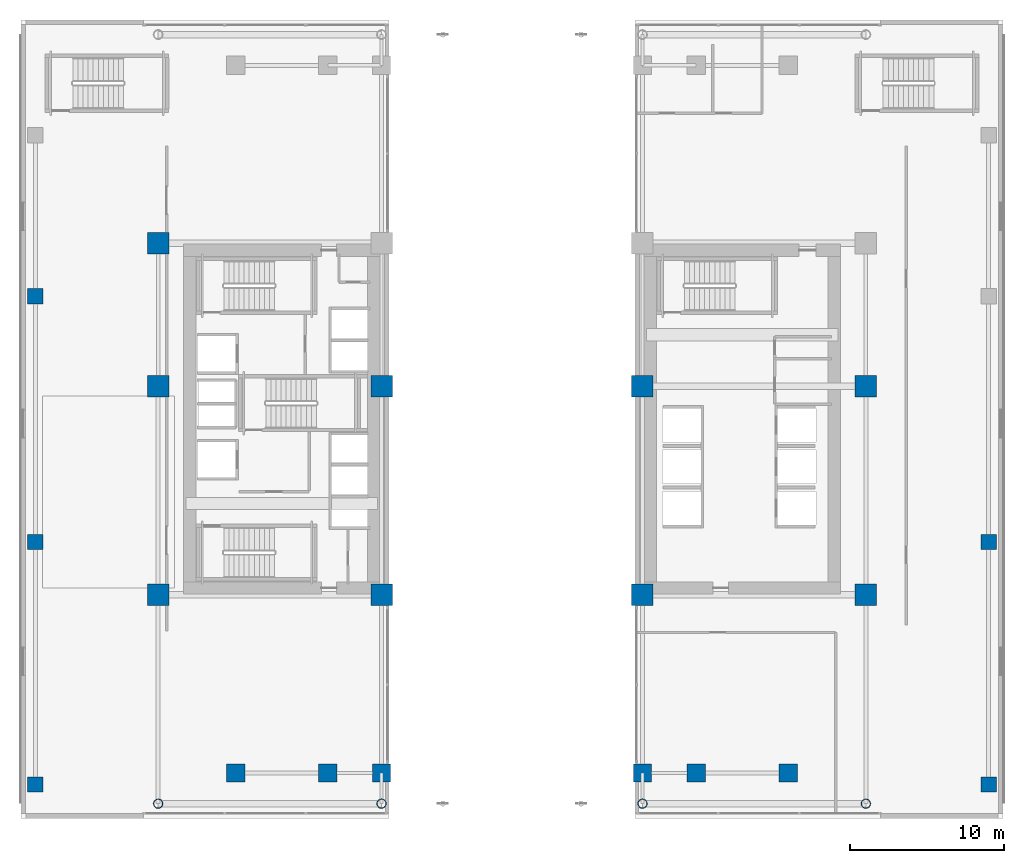
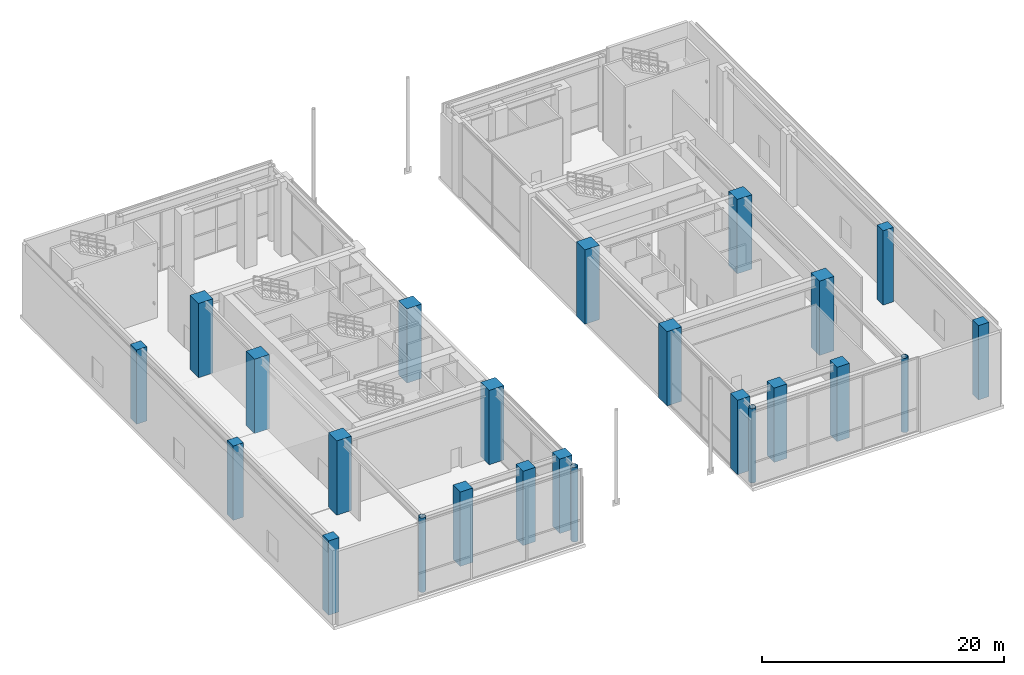
# One storey, part 1 of 29: 24 columns.
"""IFC4 building model written with IfcOpenShell, lengths in metres."""

from ifc_helpers import new_model, si_unit, direction, frame, origin, origin_2d, place, context, subcontext, project, spatial, rectangle, hollow_circle, extrude, source, transform, mapped, material, material_profile, profile_set, type_object, element, save


model = new_model("IFC4")

# Units and contexts
model_context = context("Model", 3, precision=1e-05, world=origin(), true_north=direction((0.0, 1.0)))
body_context = subcontext(model_context, "Body", "Model", "MODEL_VIEW")
ifc_project = project(units=[si_unit("LENGTHUNIT", "METRE"), si_unit("AREAUNIT", "SQUARE_METRE"), si_unit("VOLUMEUNIT", "CUBIC_METRE"), si_unit("PLANEANGLEUNIT", "RADIAN"), si_unit("MASSUNIT", "GRAM", prefix="KILO")], contexts=[model_context])

# Site, building, storey
site_placement = place(None, origin())
site = spatial("IfcSite", under=ifc_project, at=site_placement, CompositionType="ELEMENT")
building_placement = place(site_placement, origin())
building = spatial("IfcBuilding", under=site, at=building_placement, Name="Ocotamira Hotel", CompositionType="ELEMENT")
storey_placement = place(building_placement, frame((0.0, 0.0, 11.39990234375)))
storey = spatial("IfcBuildingStorey", under=building, at=storey_placement, Name="L03", CompositionType="ELEMENT", Elevation=11.39990234375)

# Columns
ifc_material_1 = material(Name="Concrete C50/60", Category="concrete")
ifc_material_profile_1 = material_profile(ifc_material_1, rectangle(XDim=1.0, YDim=1.0, at=origin_2d()), Name="RC1000X1000")
ifc_profile_set_1 = profile_set([ifc_material_profile_1], Name="Concrete C50/60")
column_type_1 = type_object("IfcColumnType", Name="COL-RC1000", PredefinedType="COLUMN", material=ifc_profile_set_1)
shared_shape_1 = source(origin(), body_context, "Body", "SweptSolid", [
    extrude(rectangle(XDim=1.0, YDim=1.0, at=origin_2d()), origin(), (0.0, 0.0, 1.0), 7.510009765625),
])
for number, where, z_axis, x_axis, name in (
    (1, (0.949951171875, 2.199951171875, 0.0), (0.0, 0.0, 1.0), (1.0, 0.0, 0.0), "L03 Column PW1"),
    (2, (63.050048828125, 2.199951171875, 0.0), (0.0, 0.0, 1.0), (1.0, 0.0, 0.0), "L03 Column PE1"),
    (3, (0.949951171875, 18.0, 0.0), (0.0, 0.0, 1.0), (1.0, 0.0, 0.0), "L03 Column PW2"),
    (4, (63.050048828125, 18.0, 0.0), (0.0, 0.0, 1.0), (1.0, 0.0, 0.0), "L03 Column PE2"),
    (5, (0.949951171875, 34.0, 0.0), (0.0, 0.0, 1.0), (1.0, 0.0, 0.0), "L03 Column PW3"),
):
    element("IfcColumn", number, at=place(storey_placement, frame(where, z_axis=z_axis, x_axis=x_axis)), inside=storey, type_object=column_type_1, Name=name, PredefinedType="COLUMN", context=body_context, shape_type="MappedRepresentation", body=[
        mapped(shared_shape_1, transform((0.0, 0.0, 0.0), scale=1.0)),
    ])
ifc_material_2 = material(Name="Steel ASTM A501 Grade B", Category="steel")
ifc_material_profile_2 = material_profile(ifc_material_2, hollow_circle(Radius=0.304931640625, WallThickness=0.02490234375, at=origin_2d()), Name="CHS610X25")
ifc_profile_set_2 = profile_set([ifc_material_profile_2], Name="Steel ASTM A501 Grade B")
column_type_2 = type_object("IfcColumnType", Name="COL-CHS610", PredefinedType="COLUMN", material=ifc_profile_set_2)
shared_shape_2 = source(origin(), body_context, "Body", "SweptSolid", [
    extrude(hollow_circle(Radius=0.304931640625, WallThickness=0.02490234375, at=origin_2d()), origin(), (0.0, 0.0, 1.0), 7.510009765625),
])
for number, where, z_axis, x_axis, name in (
    (6, (8.949951171875, 0.949951171875, 0.0), (0.0, 0.0, 1.0), (1.0, 0.0, 0.0), "L03 Column PS1_1"),
    (7, (23.5, 0.949951171875, 0.0), (0.0, 0.0, 1.0), (1.0, 0.0, 0.0), "L03 Column PS1_2"),
    (8, (40.5, 0.949951171875, 0.0), (0.0, 0.0, 1.0), (1.0, 0.0, 0.0), "L03 Column PS1_3"),
    (9, (55.050048828125, 0.949951171875, 0.0), (0.0, 0.0, 1.0), (1.0, 0.0, 0.0), "L03 Column PS1_4"),
):
    element("IfcColumn", number, at=place(storey_placement, frame(where, z_axis=z_axis, x_axis=x_axis)), inside=storey, type_object=column_type_2, Name=name, PredefinedType="COLUMN", context=body_context, shape_type="MappedRepresentation", body=[
        mapped(shared_shape_2, transform((0.0, 0.0, 0.0), scale=1.0)),
    ])
ifc_material_3 = material(Name="Concrete C60/75", Category="concrete")
ifc_material_profile_3 = material_profile(ifc_material_3, rectangle(XDim=1.39990234375, YDim=1.39990234375, at=origin_2d()), Name="RC1400X1400")
ifc_profile_set_3 = profile_set([ifc_material_profile_3], Name="Concrete C60/75")
column_type_3 = type_object("IfcColumnType", Name="COL-RC1400", PredefinedType="COLUMN", material=ifc_profile_set_3)
shared_shape_3 = source(origin(), body_context, "Body", "SweptSolid", [
    extrude(rectangle(XDim=1.39990234375, YDim=1.39990234375, at=origin_2d()), origin(), (0.0, 0.0, 1.0), 7.510009765625),
])
for number, where, z_axis, x_axis, name in (
    (10, (8.949951171875, 14.550048828125, 0.0), (0.0, 0.0, 1.0), (1.0, 0.0, 0.0), "L03 Column TW8_14"),
    (11, (23.5, 14.550048828125, 0.0), (0.0, 0.0, 1.0), (1.0, 0.0, 0.0), "L03 Column TW23_14"),
    (12, (40.5, 14.550048828125, 0.0), (0.0, 0.0, 1.0), (1.0, 0.0, 0.0), "L03 Column TE40_14"),
    (13, (55.050048828125, 14.550048828125, 0.0), (0.0, 0.0, 1.0), (1.0, 0.0, 0.0), "L03 Column TE55_14"),
    (14, (8.949951171875, 28.14990234375, 0.0), (0.0, 0.0, 1.0), (1.0, 0.0, 0.0), "L03 Column TW8_28"),
    (15, (23.5, 28.14990234375, 0.0), (0.0, 0.0, 1.0), (1.0, 0.0, 0.0), "L03 Column TW23_28"),
    (16, (40.5, 28.14990234375, 0.0), (0.0, 0.0, 1.0), (1.0, 0.0, 0.0), "L03 Column TE40_28"),
    (17, (55.050048828125, 28.14990234375, 0.0), (0.0, 0.0, 1.0), (1.0, 0.0, 0.0), "L03 Column TE55_28"),
    (18, (8.949951171875, 37.449951171875, 0.0), (0.0, 0.0, 1.0), (1.0, 0.0, 0.0), "L03 Column TW8_37"),
):
    element("IfcColumn", number, at=place(storey_placement, frame(where, z_axis=z_axis, x_axis=x_axis)), inside=storey, type_object=column_type_3, Name=name, PredefinedType="COLUMN", context=body_context, shape_type="MappedRepresentation", body=[
        mapped(shared_shape_3, transform((0.0, 0.0, 0.0), scale=1.0)),
    ])
ifc_material_profile_4 = material_profile(ifc_material_3, rectangle(XDim=1.199951171875, YDim=1.199951171875, at=origin_2d()), Name="RC1200X1200")
ifc_profile_set_4 = profile_set([ifc_material_profile_4], Name="Concrete C60/75")
column_type_4 = type_object("IfcColumnType", Name="COL-RC1200", PredefinedType="COLUMN", material=ifc_profile_set_4)
shared_shape_4 = source(origin(), body_context, "Body", "SweptSolid", [
    extrude(rectangle(XDim=1.199951171875, YDim=1.199951171875, at=origin_2d()), origin(), (0.0, 0.0, 1.0), 7.510009765625),
])
for number, where, z_axis, x_axis, name in (
    (19, (14.0, 2.949951171875, 0.0), (0.0, 0.0, 1.0), (1.0, 0.0, 0.0), "L03 Column NSP1_14"),
    (20, (20.0, 2.949951171875, 0.0), (0.0, 0.0, 1.0), (1.0, 0.0, 0.0), "L03 Column NSP1_20"),
    (21, (23.5, 2.949951171875, 0.0), (0.0, 0.0, 1.0), (1.0, 0.0, 0.0), "L03 Column NSP1_23"),
    (22, (40.5, 2.949951171875, 0.0), (0.0, 0.0, 1.0), (1.0, 0.0, 0.0), "L03 Column NSP1_40"),
    (23, (44.0, 2.949951171875, 0.0), (0.0, 0.0, 1.0), (1.0, 0.0, 0.0), "L03 Column NSP1_44"),
    (24, (50.0, 2.949951171875, 0.0), (0.0, 0.0, 1.0), (1.0, 0.0, 0.0), "L03 Column NSP1_50"),
):
    element("IfcColumn", number, at=place(storey_placement, frame(where, z_axis=z_axis, x_axis=x_axis)), inside=storey, type_object=column_type_4, Name=name, PredefinedType="COLUMN", context=body_context, shape_type="MappedRepresentation", body=[
        mapped(shared_shape_4, transform((0.0, 0.0, 0.0), scale=1.0)),
    ])

save(model, "model.ifc")
